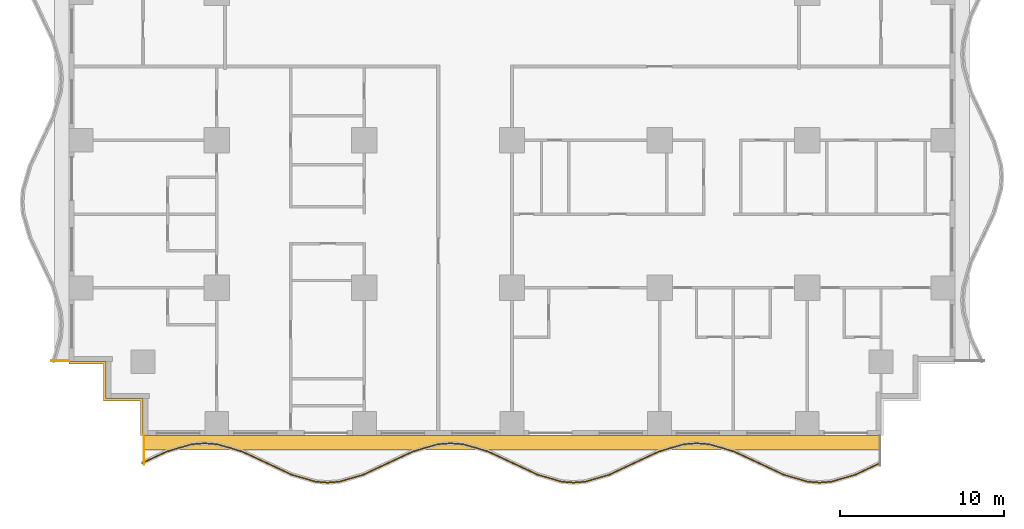
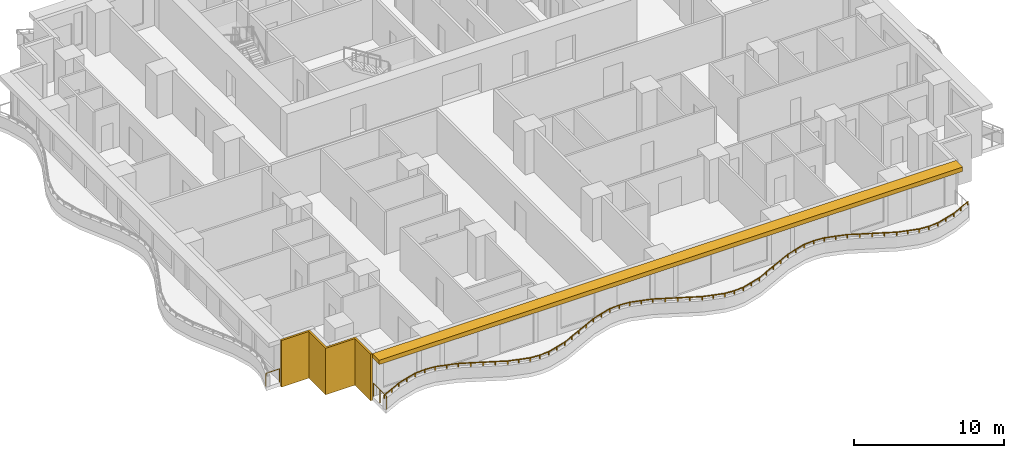
# One storey, part 8 of 14: 3 railings, 2 shading devices.
"""IFC4 building model written with IfcOpenShell, lengths in metres."""

import ifcopenshell
import ifcopenshell.guid

model = None  # the IFC model being written
_history = None  # IfcOwnerHistory: only IFC2X3 demands one
_inside = {}  # id of a spatial element -> (the spatial element, [elements in it])
_under = {}  # id of a project, library or spatial element -> (it, [spatial elements below it])
_declared = {}  # id of a project -> (the project, [libraries it declares])
_typed = {}  # id of a type object -> (the type object, [elements of that type])
_made_of = {}  # id of a material, layer set ... -> (it, [elements and type objects made of it])


def new_model(schema):
    """Start an empty IFC model of exactly this schema.

    Asked for "IFC4X3", IfcOpenShell would pick the latest addendum, in which some entities
    have other attributes; the version numbers below select the first issue.
    IFC2X3 requires an IfcOwnerHistory on every rooted entity: one is made here for all.
    """
    global model, _history
    if schema == "IFC4X3":
        model = ifcopenshell.file(schema_version=(4, 3, 0, 0))
    else:
        model = ifcopenshell.file(schema=schema)
    _inside.clear()
    _under.clear()
    _declared.clear()
    _typed.clear()
    _made_of.clear()
    _history = None
    if model.schema == "IFC2X3":
        org = make("IfcOrganization", Name="unknown")
        user = make(
            "IfcPersonAndOrganization",
            ThePerson=make("IfcPerson", FamilyName="unknown"),
            TheOrganization=org,
        )
        app = make(
            "IfcApplication",
            ApplicationDeveloper=org,
            Version="unknown",
            ApplicationFullName="unknown",
            ApplicationIdentifier="unknown",
        )
        _history = make(
            "IfcOwnerHistory",
            OwningUser=user,
            OwningApplication=app,
            ChangeAction="ADDED",
            CreationDate=0,
        )
    return model


def make(cls, **values):
    """One entity of the class cls with the attributes given. An attribute that is None is left unset."""
    return model.create_entity(
        cls, **{name: value for name, value in values.items() if value is not None}
    )


def rooted(cls, **values):
    """An entity with a GlobalId (a new one), such as an element, a storey or a relation."""
    return make(cls, GlobalId=ifcopenshell.guid.new(), OwnerHistory=_history, **values)


def si_unit(unit_type, name, prefix=None):
    """IfcSIUnit, for example si_unit("LENGTHUNIT", "METRE", prefix="MILLI")."""
    return make("IfcSIUnit", UnitType=unit_type, Prefix=prefix, Name=name)


def assignment(units):
    """IfcUnitAssignment: the units of a project."""
    return None if units is None else make("IfcUnitAssignment", Units=units)


def point(xyz):
    """IfcCartesianPoint."""
    return None if xyz is None else make("IfcCartesianPoint", Coordinates=xyz)


def direction(xyz):
    """IfcDirection."""
    return None if xyz is None else make("IfcDirection", DirectionRatios=xyz)


def frame(location, z_axis=None, x_axis=None):
    """IfcAxis2Placement3D, a coordinate frame: its origin and axes. An axis left out is left unset."""
    return make(
        "IfcAxis2Placement3D",
        Location=point(location),
        Axis=direction(z_axis),
        RefDirection=direction(x_axis),
    )


def frame_2d(location, x_axis=None):
    """IfcAxis2Placement2D, a coordinate frame in the plane: its origin and x axis."""
    return make(
        "IfcAxis2Placement2D", Location=point(location), RefDirection=direction(x_axis)
    )


def origin():
    """The frame at (0, 0, 0) with its axes left unset."""
    return frame((0.0, 0.0, 0.0))


def origin_2d():
    """The frame at (0, 0) in the plane with its x axis left unset."""
    return frame_2d((0.0, 0.0))


def place(relative_to, where):
    """IfcLocalPlacement: puts the frame where relative to a parent placement (None: the world)."""
    return make(
        "IfcLocalPlacement", PlacementRelTo=relative_to, RelativePlacement=where
    )


def context(
    kind, dimensions, precision=None, world=None, true_north=None, identifier=None
):
    """IfcGeometricRepresentationContext, for example the 3D "Model" context."""
    return make(
        "IfcGeometricRepresentationContext",
        ContextIdentifier=identifier,
        ContextType=kind,
        CoordinateSpaceDimension=dimensions,
        Precision=precision,
        WorldCoordinateSystem=world,
        TrueNorth=true_north,
    )


def subcontext(parent, identifier, kind, view, scale=None):
    """IfcGeometricRepresentationSubContext, for example "Body" below "Model"."""
    return make(
        "IfcGeometricRepresentationSubContext",
        ContextIdentifier=identifier,
        ContextType=kind,
        ParentContext=parent,
        TargetScale=scale,
        TargetView=view,
    )


def project(units=None, contexts=None):
    """IfcProject with its units and contexts."""
    return rooted(
        "IfcProject",
        Name="project",
        RepresentationContexts=contexts,
        UnitsInContext=assignment(units),
    )


def spatial(cls, under=None, at=None, **own):
    """A site, building, storey or space (cls), placed at a placement, below another one or the project."""
    s = rooted(cls, ObjectPlacement=at, **own)
    if under is not None:
        _under.setdefault(under.id(), (under, []))[1].append(s)
    return s


def polyline(points):
    """IfcPolyline through the points."""
    return make("IfcPolyline", Points=[point(p) for p in points])


def profile(cls, at=None, kind="AREA", **sizes):
    """A parametric profile (cls). Its sizes go by their IFC names, for example OverallWidth=200.0."""
    return make(cls, ProfileType=kind, Position=at, **sizes)


def rectangle(**sizes):
    """IfcRectangleProfileDef."""
    return profile("IfcRectangleProfileDef", **sizes)


def outline(outer, holes=None, kind="AREA"):
    """IfcArbitraryClosedProfileDef: a profile drawn as a closed curve; with holes, ...WithVoids."""
    if holes is None:
        return make("IfcArbitraryClosedProfileDef", ProfileType=kind, OuterCurve=outer)
    return make(
        "IfcArbitraryProfileDefWithVoids",
        ProfileType=kind,
        OuterCurve=outer,
        InnerCurves=holes,
    )


def extrude(swept, where, along, depth):
    """IfcExtrudedAreaSolid: the profile swept, set in the frame where, extruded along a direction by depth."""
    return make(
        "IfcExtrudedAreaSolid",
        SweptArea=swept,
        Position=where,
        ExtrudedDirection=direction(along),
        Depth=depth,
    )


def shape(context_of_items, identifier, shape_type, items):
    """IfcShapeRepresentation: the items that make up one representation, for example the "Body"."""
    return make(
        "IfcShapeRepresentation",
        ContextOfItems=context_of_items,
        RepresentationIdentifier=identifier,
        RepresentationType=shape_type,
        Items=items,
    )


def material(Name=None, Category=None):
    """IfcMaterial."""
    return make("IfcMaterial", Name=Name, Category=Category)


def layer(
    of_material, thickness, ventilated=None, Name=None, Category=None, Priority=None
):
    """IfcMaterialLayer: one layer of a wall or slab, of a material (None: an air gap)."""
    return make(
        "IfcMaterialLayer",
        Material=of_material,
        LayerThickness=thickness,
        IsVentilated=ventilated,
        Name=Name,
        Category=Category,
        Priority=Priority,
    )


def layer_set(layers, Name=None):
    """IfcMaterialLayerSet."""
    return make("IfcMaterialLayerSet", MaterialLayers=layers, LayerSetName=Name)


def made_of(thing, what):
    """Note that an element or type object is made of a material, layer set ...; save() writes the relation."""
    if what is not None:
        _made_of.setdefault(what.id(), (what, []))[1].append(thing)
    return thing


def type_object(cls, material=None, **own):
    """A type object (cls), such as IfcWallType, which elements share."""
    return made_of(rooted(cls, **own), material)


def element(
    cls,
    number,
    at=None,
    inside=None,
    cuts=None,
    type_object=None,
    material=None,
    context=None,
    identifier="Body",
    shape_type=None,
    held_by="IfcProductDefinitionShape",
    body=None,
    shapes=None,
    **own,
):
    """One element of the class cls, such as IfcWall. Its Tag is "e" and its number.

    at: its placement. inside: the storey or other place that contains it. cuts: it is an
    opening in that element (IfcRelVoidsElement). A single representation is given by context,
    identifier, shape_type and body (its items); several are given by shapes. held_by: the class
    of the entity that holds the representations. save() writes the other relations.
    """
    e = rooted(cls, Tag="e%d" % number, ObjectPlacement=at, **own)
    if body is not None:
        shapes = [shape(context, identifier, shape_type, body)]
    if shapes is not None:
        e.Representation = make(held_by, Representations=shapes)
    if inside is not None:
        _inside.setdefault(inside.id(), (inside, []))[1].append(e)
    if cuts is not None:
        rooted(
            "IfcRelVoidsElement", RelatingBuildingElement=cuts, RelatedOpeningElement=e
        )
    if type_object is not None:
        _typed.setdefault(type_object.id(), (type_object, []))[1].append(e)
    return made_of(e, material)


def aggregate(whole, parts):
    """IfcRelAggregates: a whole, such as a stair, and the parts it consists of."""
    return rooted("IfcRelAggregates", RelatingObject=whole, RelatedObjects=parts)


def save(model, path):
    """Write the relations noted so far, then the file.

    IfcRelAggregates (storeys below a building ...), IfcRelContainedInSpatialStructure (elements
    in a storey), IfcRelDefinesByType, IfcRelAssociatesMaterial and IfcRelDeclares: one each for
    every whole, place, type object, material and project.
    """
    for whole, parts in _under.values():
        aggregate(whole, parts)
    for where, things in _inside.values():
        rooted(
            "IfcRelContainedInSpatialStructure",
            RelatedElements=things,
            RelatingStructure=where,
        )
    for kind, things in _typed.values():
        rooted("IfcRelDefinesByType", RelatedObjects=things, RelatingType=kind)
    for what, things in _made_of.values():
        rooted("IfcRelAssociatesMaterial", RelatedObjects=things, RelatingMaterial=what)
    for by, libraries in _declared.values():
        rooted("IfcRelDeclares", RelatingContext=by, RelatedDefinitions=libraries)
    model.write(path)


model = new_model("IFC4")

# Units and contexts
model_context = context("Model", 3, precision=1e-05, world=origin(), true_north=direction((0.0, 1.0)))
body_context = subcontext(model_context, "Body", "Model", "MODEL_VIEW")
ifc_project = project(units=[si_unit("LENGTHUNIT", "METRE"), si_unit("AREAUNIT", "SQUARE_METRE"), si_unit("VOLUMEUNIT", "CUBIC_METRE"), si_unit("PLANEANGLEUNIT", "RADIAN"), si_unit("MASSUNIT", "GRAM", prefix="KILO")], contexts=[model_context])

# Site, building, storey
site_placement = place(None, origin())
site = spatial("IfcSite", under=ifc_project, at=site_placement, CompositionType="ELEMENT")
building_placement = place(site_placement, origin())
building = spatial("IfcBuilding", under=site, at=building_placement, Name="Orbiselva Terraces", CompositionType="ELEMENT")
storey_placement = place(building_placement, frame((0.0, 0.0, 30.2)))
storey = spatial("IfcBuildingStorey", under=building, at=storey_placement, Name="L07", CompositionType="ELEMENT", Elevation=30.2)

# Railings
ifc_material_1 = material(Name="Bonded two-ply safety glass balustrade, stainless steel posts", Category="steel")
railing_type_1 = type_object("IfcRailingType", Name="ENV-BALUSTRADE-1200", PredefinedType="BALUSTRADE", material=ifc_material_1)
railing_1_placement = place(storey_placement, frame((-22.553191, -24.186882, 0.9)))
element("IfcRailing", 1, at=railing_1_placement, inside=storey, type_object=railing_type_1, Name="Balcony balustrade L07 S", PredefinedType="BALUSTRADE", context=body_context, shape_type="SweptSolid", body=[
    extrude(outline(polyline([(0.028868, 0.0), (0.014434, 0.025), (-0.014434, 0.025), (-0.028868, 0.0), (-0.014434, -0.025), (0.014434, -0.025), (0.028868, 0.0)])), frame((0.0, 0.0, 0.275), z_axis=(0.904944157382, 0.425530342069, 0.0), x_axis=(-0.425530342069, 0.904944157382, 0.0)), (0.0, 0.0, 1.0), 1.667376),
    extrude(outline(polyline([(0.028868, 0.0), (0.014434, 0.025), (-0.014434, 0.025), (-0.028868, 0.0), (-0.014434, -0.025), (0.014434, -0.025), (0.028868, 0.0)])), frame((1.508882, 0.709519, 0.275), z_axis=(0.960270491427, 0.279070928786, 0.0), x_axis=(-0.279070928786, 0.960270491427, 0.0)), (0.0, 0.0, 1.0), 1.584712),
    extrude(outline(polyline([(0.028868, 0.0), (0.014434, 0.025), (-0.014434, 0.025), (-0.028868, 0.0), (-0.014434, -0.025), (0.014434, -0.025), (0.028868, 0.0)])), frame((3.030634, 1.151766, 0.275), z_axis=(0.996947796737, 0.078071061106, 0.0), x_axis=(-0.078071061106, 0.996947796737, 0.0)), (0.0, 0.0, 1.0), 0.774922),
    extrude(outline(polyline([(0.028868, 0.0), (0.014434, 0.025), (-0.014434, 0.025), (-0.028868, 0.0), (-0.014434, -0.025), (0.014434, -0.025), (0.028868, 0.0)])), frame((3.803191, 1.212265, 0.275), z_axis=(0.996947796737, -0.078071061106, 0.0), x_axis=(0.078071061106, 0.996947796737, 0.0)), (0.0, 0.0, 1.0), 0.774922),
    extrude(outline(polyline([(0.028868, 0.0), (0.014434, 0.025), (-0.014434, 0.025), (-0.028868, 0.0), (-0.014434, -0.025), (0.014434, -0.025), (0.028868, 0.0)])), frame((4.575748, 1.151766, 0.275), z_axis=(0.960270491427, -0.279070928786, 0.0), x_axis=(0.279070928786, 0.960270491427, 0.0)), (0.0, 0.0, 1.0), 1.584712),
    extrude(outline(polyline([(0.028868, 0.0), (0.014434, 0.025), (-0.014434, 0.025), (-0.028868, 0.0), (-0.014434, -0.025), (0.014434, -0.025), (0.028868, 0.0)])), frame((6.0975, 0.709519, 0.275), z_axis=(0.904944157382, -0.425530342069, 0.0), x_axis=(0.425530342069, 0.904944157382, 0.0)), (0.0, 0.0, 1.0), 1.667376),
    extrude(outline(polyline([(0.028868, 0.0), (0.014434, 0.025), (-0.014434, 0.025), (-0.028868, 0.0), (-0.014434, -0.025), (0.014434, -0.025), (0.028868, 0.0)])), frame((7.606382, 0.0, 0.275), z_axis=(0.904944359461, -0.425529912322, 0.0), x_axis=(0.425529912322, 0.904944359461, 0.0)), (0.0, 0.0, 1.0), 1.647746),
    extrude(outline(polyline([(0.028868, 0.0), (0.014434, 0.025), (-0.014434, 0.025), (-0.028868, 0.0), (-0.014434, -0.025), (0.014434, -0.025), (0.028868, 0.0)])), frame((9.0975, -0.701165, 0.275), z_axis=(0.960270317007, -0.279071528957, 0.0), x_axis=(0.279071528957, 0.960270317007, 0.0)), (0.0, 0.0, 1.0), 1.539408),
    extrude(outline(polyline([(0.028868, 0.0), (0.014434, 0.025), (-0.014434, 0.025), (-0.028868, 0.0), (-0.014434, -0.025), (0.014434, -0.025), (0.028868, 0.0)])), frame((10.575748, -1.13077, 0.275), z_axis=(0.996947916106, -0.078069536776, 0.0), x_axis=(0.078069536776, 0.996947916106, 0.0)), (0.0, 0.0, 1.0), 0.72967),
    extrude(outline(polyline([(0.028868, 0.0), (0.014434, 0.025), (-0.014434, 0.025), (-0.028868, 0.0), (-0.014434, -0.025), (0.014434, -0.025), (0.028868, 0.0)])), frame((11.303191, -1.187735, 0.275), z_axis=(0.996947916106, 0.078069536776, 0.0), x_axis=(-0.078069536776, 0.996947916106, 0.0)), (0.0, 0.0, 1.0), 0.72967),
    extrude(outline(polyline([(0.028868, 0.0), (0.014434, 0.025), (-0.014434, 0.025), (-0.028868, 0.0), (-0.014434, -0.025), (0.014434, -0.025), (0.028868, 0.0)])), frame((12.030634, -1.13077, 0.275), z_axis=(0.960270317007, 0.279071528957, 0.0), x_axis=(-0.279071528957, 0.960270317007, 0.0)), (0.0, 0.0, 1.0), 1.539408),
    extrude(outline(polyline([(0.028868, 0.0), (0.014434, 0.025), (-0.014434, 0.025), (-0.028868, 0.0), (-0.014434, -0.025), (0.014434, -0.025), (0.028868, 0.0)])), frame((13.508882, -0.701165, 0.275), z_axis=(0.904944359461, 0.425529912322, 0.0), x_axis=(-0.425529912322, 0.904944359461, 0.0)), (0.0, 0.0, 1.0), 1.647746),
    extrude(outline(polyline([(0.028868, 0.0), (0.014434, 0.025), (-0.014434, 0.025), (-0.028868, 0.0), (-0.014434, -0.025), (0.014434, -0.025), (0.028868, 0.0)])), frame((15.0, 0.0, 0.275), z_axis=(0.904944157382, 0.425530342069, 0.0), x_axis=(-0.425530342069, 0.904944157382, 0.0)), (0.0, 0.0, 1.0), 1.667376),
    extrude(outline(polyline([(0.028868, 0.0), (0.014434, 0.025), (-0.014434, 0.025), (-0.028868, 0.0), (-0.014434, -0.025), (0.014434, -0.025), (0.028868, 0.0)])), frame((16.508882, 0.709519, 0.275), z_axis=(0.960270491427, 0.279070928786, 0.0), x_axis=(-0.279070928786, 0.960270491427, 0.0)), (0.0, 0.0, 1.0), 1.584712),
    extrude(outline(polyline([(0.028868, 0.0), (0.014434, 0.025), (-0.014434, 0.025), (-0.028868, 0.0), (-0.014434, -0.025), (0.014434, -0.025), (0.028868, 0.0)])), frame((18.030634, 1.151766, 0.275), z_axis=(0.996947796737, 0.078071061106, 0.0), x_axis=(-0.078071061106, 0.996947796737, 0.0)), (0.0, 0.0, 1.0), 0.774922),
    extrude(outline(polyline([(0.028868, 0.0), (0.014434, 0.025), (-0.014434, 0.025), (-0.028868, 0.0), (-0.014434, -0.025), (0.014434, -0.025), (0.028868, 0.0)])), frame((18.803191, 1.212265, 0.275), z_axis=(0.996947796737, -0.078071061106, 0.0), x_axis=(0.078071061106, 0.996947796737, 0.0)), (0.0, 0.0, 1.0), 0.774922),
    extrude(outline(polyline([(0.028868, 0.0), (0.014434, 0.025), (-0.014434, 0.025), (-0.028868, 0.0), (-0.014434, -0.025), (0.014434, -0.025), (0.028868, 0.0)])), frame((19.575748, 1.151766, 0.275), z_axis=(0.960270491427, -0.279070928786, 0.0), x_axis=(0.279070928786, 0.960270491427, 0.0)), (0.0, 0.0, 1.0), 1.584712),
    extrude(outline(polyline([(0.028868, 0.0), (0.014434, 0.025), (-0.014434, 0.025), (-0.028868, 0.0), (-0.014434, -0.025), (0.014434, -0.025), (0.028868, 0.0)])), frame((21.0975, 0.709519, 0.275), z_axis=(0.904944157382, -0.425530342069, 0.0), x_axis=(0.425530342069, 0.904944157382, 0.0)), (0.0, 0.0, 1.0), 1.667376),
    extrude(outline(polyline([(0.028868, 0.0), (0.014434, 0.025), (-0.014434, 0.025), (-0.028868, 0.0), (-0.014434, -0.025), (0.014434, -0.025), (0.028868, 0.0)])), frame((22.606382, 0.0, 0.275), z_axis=(0.904944359461, -0.425529912322, 0.0), x_axis=(0.425529912322, 0.904944359461, 0.0)), (0.0, 0.0, 1.0), 1.647746),
    extrude(outline(polyline([(0.028868, 0.0), (0.014434, 0.025), (-0.014434, 0.025), (-0.028868, 0.0), (-0.014434, -0.025), (0.014434, -0.025), (0.028868, 0.0)])), frame((24.0975, -0.701165, 0.275), z_axis=(0.960270317007, -0.279071528957, 0.0), x_axis=(0.279071528957, 0.960270317007, 0.0)), (0.0, 0.0, 1.0), 1.539408),
    extrude(outline(polyline([(0.028868, 0.0), (0.014434, 0.025), (-0.014434, 0.025), (-0.028868, 0.0), (-0.014434, -0.025), (0.014434, -0.025), (0.028868, 0.0)])), frame((25.575748, -1.13077, 0.275), z_axis=(0.996947916106, -0.078069536776, 0.0), x_axis=(0.078069536776, 0.996947916106, 0.0)), (0.0, 0.0, 1.0), 0.72967),
    extrude(outline(polyline([(0.028868, 0.0), (0.014434, 0.025), (-0.014434, 0.025), (-0.028868, 0.0), (-0.014434, -0.025), (0.014434, -0.025), (0.028868, 0.0)])), frame((26.303191, -1.187735, 0.275), z_axis=(0.996947916106, 0.078069536776, 0.0), x_axis=(-0.078069536776, 0.996947916106, 0.0)), (0.0, 0.0, 1.0), 0.72967),
    extrude(outline(polyline([(0.028868, 0.0), (0.014434, 0.025), (-0.014434, 0.025), (-0.028868, 0.0), (-0.014434, -0.025), (0.014434, -0.025), (0.028868, 0.0)])), frame((27.030634, -1.13077, 0.275), z_axis=(0.960270317007, 0.279071528957, 0.0), x_axis=(-0.279071528957, 0.960270317007, 0.0)), (0.0, 0.0, 1.0), 1.539408),
    extrude(outline(polyline([(0.028868, 0.0), (0.014434, 0.025), (-0.014434, 0.025), (-0.028868, 0.0), (-0.014434, -0.025), (0.014434, -0.025), (0.028868, 0.0)])), frame((28.508882, -0.701165, 0.275), z_axis=(0.904944359461, 0.425529912322, 0.0), x_axis=(-0.425529912322, 0.904944359461, 0.0)), (0.0, 0.0, 1.0), 1.647746),
    extrude(outline(polyline([(0.028868, 0.0), (0.014434, 0.025), (-0.014434, 0.025), (-0.028868, 0.0), (-0.014434, -0.025), (0.014434, -0.025), (0.028868, 0.0)])), frame((30.0, 0.0, 0.275), z_axis=(0.904944157382, 0.425530342069, 0.0), x_axis=(-0.425530342069, 0.904944157382, 0.0)), (0.0, 0.0, 1.0), 1.667376),
    extrude(outline(polyline([(0.028868, 0.0), (0.014434, 0.025), (-0.014434, 0.025), (-0.028868, 0.0), (-0.014434, -0.025), (0.014434, -0.025), (0.028868, 0.0)])), frame((31.508882, 0.709519, 0.275), z_axis=(0.960270491427, 0.279070928786, 0.0), x_axis=(-0.279070928786, 0.960270491427, 0.0)), (0.0, 0.0, 1.0), 1.584712),
    extrude(outline(polyline([(0.028868, 0.0), (0.014434, 0.025), (-0.014434, 0.025), (-0.028868, 0.0), (-0.014434, -0.025), (0.014434, -0.025), (0.028868, 0.0)])), frame((33.030634, 1.151766, 0.275), z_axis=(0.996947796737, 0.078071061106, 0.0), x_axis=(-0.078071061106, 0.996947796737, 0.0)), (0.0, 0.0, 1.0), 0.774922),
    extrude(outline(polyline([(0.028868, 0.0), (0.014434, 0.025), (-0.014434, 0.025), (-0.028868, 0.0), (-0.014434, -0.025), (0.014434, -0.025), (0.028868, 0.0)])), frame((33.803191, 1.212265, 0.275), z_axis=(0.996947796737, -0.078071061106, 0.0), x_axis=(0.078071061106, 0.996947796737, 0.0)), (0.0, 0.0, 1.0), 0.774922),
    extrude(outline(polyline([(0.028868, 0.0), (0.014434, 0.025), (-0.014434, 0.025), (-0.028868, 0.0), (-0.014434, -0.025), (0.014434, -0.025), (0.028868, 0.0)])), frame((34.575748, 1.151766, 0.275), z_axis=(0.960270491427, -0.279070928786, 0.0), x_axis=(0.279070928786, 0.960270491427, 0.0)), (0.0, 0.0, 1.0), 1.584712),
    extrude(outline(polyline([(0.028868, 0.0), (0.014434, 0.025), (-0.014434, 0.025), (-0.028868, 0.0), (-0.014434, -0.025), (0.014434, -0.025), (0.028868, 0.0)])), frame((36.0975, 0.709519, 0.275), z_axis=(0.904944157382, -0.425530342069, 0.0), x_axis=(0.425530342069, 0.904944157382, 0.0)), (0.0, 0.0, 1.0), 1.667376),
    extrude(outline(polyline([(0.028868, 0.0), (0.014434, 0.025), (-0.014434, 0.025), (-0.028868, 0.0), (-0.014434, -0.025), (0.014434, -0.025), (0.028868, 0.0)])), frame((37.606382, 0.0, 0.275), z_axis=(0.904944359461, -0.425529912322, 0.0), x_axis=(0.425529912322, 0.904944359461, 0.0)), (0.0, 0.0, 1.0), 1.647746),
    extrude(outline(polyline([(0.028868, 0.0), (0.014434, 0.025), (-0.014434, 0.025), (-0.028868, 0.0), (-0.014434, -0.025), (0.014434, -0.025), (0.028868, 0.0)])), frame((39.0975, -0.701165, 0.275), z_axis=(0.960270317007, -0.279071528957, 0.0), x_axis=(0.279071528957, 0.960270317007, 0.0)), (0.0, 0.0, 1.0), 1.539408),
    extrude(outline(polyline([(0.028868, 0.0), (0.014434, 0.025), (-0.014434, 0.025), (-0.028868, 0.0), (-0.014434, -0.025), (0.014434, -0.025), (0.028868, 0.0)])), frame((40.575748, -1.13077, 0.275), z_axis=(0.996947916106, -0.078069536776, 0.0), x_axis=(0.078069536776, 0.996947916106, 0.0)), (0.0, 0.0, 1.0), 0.72967),
    extrude(outline(polyline([(0.028868, 0.0), (0.014434, 0.025), (-0.014434, 0.025), (-0.028868, 0.0), (-0.014434, -0.025), (0.014434, -0.025), (0.028868, 0.0)])), frame((41.303191, -1.187735, 0.275), z_axis=(0.996947916106, 0.078069536776, 0.0), x_axis=(-0.078069536776, 0.996947916106, 0.0)), (0.0, 0.0, 1.0), 0.72967),
    extrude(outline(polyline([(0.028868, 0.0), (0.014434, 0.025), (-0.014434, 0.025), (-0.028868, 0.0), (-0.014434, -0.025), (0.014434, -0.025), (0.028868, 0.0)])), frame((42.030634, -1.13077, 0.275), z_axis=(0.960270317007, 0.279071528957, 0.0), x_axis=(-0.279071528957, 0.960270317007, 0.0)), (0.0, 0.0, 1.0), 1.539408),
    extrude(outline(polyline([(0.028868, 0.0), (0.014434, 0.025), (-0.014434, 0.025), (-0.028868, 0.0), (-0.014434, -0.025), (0.014434, -0.025), (0.028868, 0.0)])), frame((43.508882, -0.701165, 0.275), z_axis=(0.904944359461, 0.425529912322, 0.0), x_axis=(-0.425529912322, 0.904944359461, 0.0)), (0.0, 0.0, 1.0), 1.647746),
    extrude(rectangle(XDim=0.05, YDim=0.05, at=origin_2d()), origin(), (0.0, 0.0, 1.0), 0.25),
    extrude(rectangle(XDim=0.05, YDim=0.05, at=origin_2d()), frame((0.754441, 0.35476, 0.0)), (0.0, 0.0, 1.0), 0.25),
    extrude(rectangle(XDim=0.05, YDim=0.05, at=origin_2d()), frame((1.508882, 0.709519, 0.0)), (0.0, 0.0, 1.0), 0.25),
    extrude(rectangle(XDim=0.05, YDim=0.05, at=origin_2d()), frame((2.269758, 0.930643, 0.0)), (0.0, 0.0, 1.0), 0.25),
    extrude(rectangle(XDim=0.05, YDim=0.05, at=origin_2d()), frame((3.030634, 1.151766, 0.0)), (0.0, 0.0, 1.0), 0.25),
    extrude(rectangle(XDim=0.05, YDim=0.05, at=origin_2d()), frame((3.803191, 1.212265, 0.0)), (0.0, 0.0, 1.0), 0.25),
    extrude(rectangle(XDim=0.05, YDim=0.05, at=origin_2d()), frame((4.575748, 1.151766, 0.0)), (0.0, 0.0, 1.0), 0.25),
    extrude(rectangle(XDim=0.05, YDim=0.05, at=origin_2d()), frame((5.336624, 0.930643, 0.0)), (0.0, 0.0, 1.0), 0.25),
    extrude(rectangle(XDim=0.05, YDim=0.05, at=origin_2d()), frame((6.0975, 0.709519, 0.0)), (0.0, 0.0, 1.0), 0.25),
    extrude(rectangle(XDim=0.05, YDim=0.05, at=origin_2d()), frame((6.851941, 0.35476, 0.0)), (0.0, 0.0, 1.0), 0.25),
    extrude(rectangle(XDim=0.05, YDim=0.05, at=origin_2d()), frame((7.606382, 0.0, 0.0)), (0.0, 0.0, 1.0), 0.25),
    extrude(rectangle(XDim=0.05, YDim=0.05, at=origin_2d()), frame((8.351941, -0.350582, 0.0)), (0.0, 0.0, 1.0), 0.25),
    extrude(rectangle(XDim=0.05, YDim=0.05, at=origin_2d()), frame((9.0975, -0.701165, 0.0)), (0.0, 0.0, 1.0), 0.25),
    extrude(rectangle(XDim=0.05, YDim=0.05, at=origin_2d()), frame((9.836624, -0.915967, 0.0)), (0.0, 0.0, 1.0), 0.25),
    extrude(rectangle(XDim=0.05, YDim=0.05, at=origin_2d()), frame((10.575748, -1.13077, 0.0)), (0.0, 0.0, 1.0), 0.25),
    extrude(rectangle(XDim=0.05, YDim=0.05, at=origin_2d()), frame((11.303191, -1.187735, 0.0)), (0.0, 0.0, 1.0), 0.25),
    extrude(rectangle(XDim=0.05, YDim=0.05, at=origin_2d()), frame((12.030634, -1.13077, 0.0)), (0.0, 0.0, 1.0), 0.25),
    extrude(rectangle(XDim=0.05, YDim=0.05, at=origin_2d()), frame((12.769758, -0.915967, 0.0)), (0.0, 0.0, 1.0), 0.25),
    extrude(rectangle(XDim=0.05, YDim=0.05, at=origin_2d()), frame((13.508882, -0.701165, 0.0)), (0.0, 0.0, 1.0), 0.25),
    extrude(rectangle(XDim=0.05, YDim=0.05, at=origin_2d()), frame((14.254441, -0.350582, 0.0)), (0.0, 0.0, 1.0), 0.25),
    extrude(rectangle(XDim=0.05, YDim=0.05, at=origin_2d()), frame((15.0, 0.0, 0.0)), (0.0, 0.0, 1.0), 0.25),
    extrude(rectangle(XDim=0.05, YDim=0.05, at=origin_2d()), frame((15.754441, 0.35476, 0.0)), (0.0, 0.0, 1.0), 0.25),
    extrude(rectangle(XDim=0.05, YDim=0.05, at=origin_2d()), frame((16.508882, 0.709519, 0.0)), (0.0, 0.0, 1.0), 0.25),
    extrude(rectangle(XDim=0.05, YDim=0.05, at=origin_2d()), frame((17.269758, 0.930643, 0.0)), (0.0, 0.0, 1.0), 0.25),
    extrude(rectangle(XDim=0.05, YDim=0.05, at=origin_2d()), frame((18.030634, 1.151766, 0.0)), (0.0, 0.0, 1.0), 0.25),
    extrude(rectangle(XDim=0.05, YDim=0.05, at=origin_2d()), frame((18.803191, 1.212265, 0.0)), (0.0, 0.0, 1.0), 0.25),
    extrude(rectangle(XDim=0.05, YDim=0.05, at=origin_2d()), frame((19.575748, 1.151766, 0.0)), (0.0, 0.0, 1.0), 0.25),
    extrude(rectangle(XDim=0.05, YDim=0.05, at=origin_2d()), frame((20.336624, 0.930643, 0.0)), (0.0, 0.0, 1.0), 0.25),
    extrude(rectangle(XDim=0.05, YDim=0.05, at=origin_2d()), frame((21.0975, 0.709519, 0.0)), (0.0, 0.0, 1.0), 0.25),
    extrude(rectangle(XDim=0.05, YDim=0.05, at=origin_2d()), frame((21.851941, 0.35476, 0.0)), (0.0, 0.0, 1.0), 0.25),
    extrude(rectangle(XDim=0.05, YDim=0.05, at=origin_2d()), frame((22.606382, 0.0, 0.0)), (0.0, 0.0, 1.0), 0.25),
    extrude(rectangle(XDim=0.05, YDim=0.05, at=origin_2d()), frame((23.351941, -0.350582, 0.0)), (0.0, 0.0, 1.0), 0.25),
    extrude(rectangle(XDim=0.05, YDim=0.05, at=origin_2d()), frame((24.0975, -0.701165, 0.0)), (0.0, 0.0, 1.0), 0.25),
    extrude(rectangle(XDim=0.05, YDim=0.05, at=origin_2d()), frame((24.836624, -0.915967, 0.0)), (0.0, 0.0, 1.0), 0.25),
    extrude(rectangle(XDim=0.05, YDim=0.05, at=origin_2d()), frame((25.575748, -1.13077, 0.0)), (0.0, 0.0, 1.0), 0.25),
    extrude(rectangle(XDim=0.05, YDim=0.05, at=origin_2d()), frame((26.303191, -1.187735, 0.0)), (0.0, 0.0, 1.0), 0.25),
    extrude(rectangle(XDim=0.05, YDim=0.05, at=origin_2d()), frame((27.030634, -1.13077, 0.0)), (0.0, 0.0, 1.0), 0.25),
    extrude(rectangle(XDim=0.05, YDim=0.05, at=origin_2d()), frame((27.769758, -0.915967, 0.0)), (0.0, 0.0, 1.0), 0.25),
    extrude(rectangle(XDim=0.05, YDim=0.05, at=origin_2d()), frame((28.508882, -0.701165, 0.0)), (0.0, 0.0, 1.0), 0.25),
    extrude(rectangle(XDim=0.05, YDim=0.05, at=origin_2d()), frame((29.254441, -0.350582, 0.0)), (0.0, 0.0, 1.0), 0.25),
    extrude(rectangle(XDim=0.05, YDim=0.05, at=origin_2d()), frame((30.0, 0.0, 0.0)), (0.0, 0.0, 1.0), 0.25),
    extrude(rectangle(XDim=0.05, YDim=0.05, at=origin_2d()), frame((30.754441, 0.35476, 0.0)), (0.0, 0.0, 1.0), 0.25),
    extrude(rectangle(XDim=0.05, YDim=0.05, at=origin_2d()), frame((31.508882, 0.709519, 0.0)), (0.0, 0.0, 1.0), 0.25),
    extrude(rectangle(XDim=0.05, YDim=0.05, at=origin_2d()), frame((32.269758, 0.930643, 0.0)), (0.0, 0.0, 1.0), 0.25),
    extrude(rectangle(XDim=0.05, YDim=0.05, at=origin_2d()), frame((33.030634, 1.151766, 0.0)), (0.0, 0.0, 1.0), 0.25),
    extrude(rectangle(XDim=0.05, YDim=0.05, at=origin_2d()), frame((33.803191, 1.212265, 0.0)), (0.0, 0.0, 1.0), 0.25),
    extrude(rectangle(XDim=0.05, YDim=0.05, at=origin_2d()), frame((34.575748, 1.151766, 0.0)), (0.0, 0.0, 1.0), 0.25),
    extrude(rectangle(XDim=0.05, YDim=0.05, at=origin_2d()), frame((35.336624, 0.930643, 0.0)), (0.0, 0.0, 1.0), 0.25),
    extrude(rectangle(XDim=0.05, YDim=0.05, at=origin_2d()), frame((36.0975, 0.709519, 0.0)), (0.0, 0.0, 1.0), 0.25),
    extrude(rectangle(XDim=0.05, YDim=0.05, at=origin_2d()), frame((36.851941, 0.35476, 0.0)), (0.0, 0.0, 1.0), 0.25),
    extrude(rectangle(XDim=0.05, YDim=0.05, at=origin_2d()), frame((37.606382, 0.0, 0.0)), (0.0, 0.0, 1.0), 0.25),
    extrude(rectangle(XDim=0.05, YDim=0.05, at=origin_2d()), frame((38.351941, -0.350582, 0.0)), (0.0, 0.0, 1.0), 0.25),
    extrude(rectangle(XDim=0.05, YDim=0.05, at=origin_2d()), frame((39.0975, -0.701165, 0.0)), (0.0, 0.0, 1.0), 0.25),
    extrude(rectangle(XDim=0.05, YDim=0.05, at=origin_2d()), frame((39.836624, -0.915967, 0.0)), (0.0, 0.0, 1.0), 0.25),
    extrude(rectangle(XDim=0.05, YDim=0.05, at=origin_2d()), frame((40.575748, -1.13077, 0.0)), (0.0, 0.0, 1.0), 0.25),
    extrude(rectangle(XDim=0.05, YDim=0.05, at=origin_2d()), frame((41.303191, -1.187735, 0.0)), (0.0, 0.0, 1.0), 0.25),
    extrude(rectangle(XDim=0.05, YDim=0.05, at=origin_2d()), frame((42.030634, -1.13077, 0.0)), (0.0, 0.0, 1.0), 0.25),
    extrude(rectangle(XDim=0.05, YDim=0.05, at=origin_2d()), frame((42.769758, -0.915967, 0.0)), (0.0, 0.0, 1.0), 0.25),
    extrude(rectangle(XDim=0.05, YDim=0.05, at=origin_2d()), frame((43.508882, -0.701165, 0.0)), (0.0, 0.0, 1.0), 0.25),
    extrude(rectangle(XDim=0.05, YDim=0.05, at=origin_2d()), frame((44.254441, -0.350582, 0.0)), (0.0, 0.0, 1.0), 0.25),
    extrude(rectangle(XDim=0.05, YDim=0.05, at=origin_2d()), frame((45.0, 0.0, 0.0)), (0.0, 0.0, 1.0), 0.25),
])
ifc_material_2 = material(Name="Stainless steel rail and posts", Category="steel")
railing_type_2 = type_object("IfcRailingType", Name="ENV-GUARD-1105", PredefinedType="BALUSTRADE", material=ifc_material_2)
railing_2_placement = place(storey_placement, frame((-22.44, -24.269844, 0.0)))
element("IfcRailing", 2, at=railing_2_placement, inside=storey, type_object=railing_type_2, Name="Balcony end guard L07 S", PredefinedType="BALUSTRADE", context=body_context, shape_type="SweptSolid", body=[
    extrude(outline(polyline([(0.028868, 0.0), (0.014434, 0.025), (-0.014434, 0.025), (-0.028868, 0.0), (-0.014434, -0.025), (0.014434, -0.025), (0.028868, 0.0)])), frame((0.0, 0.0, 1.08), z_axis=(0.0, 1.0, 0.0), x_axis=(-1.0, 0.0, 0.0)), (0.0, 0.0, 1.0), 1.744844),
    extrude(rectangle(XDim=0.05, YDim=0.05, at=origin_2d()), origin(), (0.0, 0.0, 1.0), 1.055),
    extrude(rectangle(XDim=0.05, YDim=0.05, at=origin_2d()), frame((0.0, 0.872422, 0.0)), (0.0, 0.0, 1.0), 1.055),
    extrude(rectangle(XDim=0.05, YDim=0.05, at=origin_2d()), frame((0.0, 1.744844, 0.0)), (0.0, 0.0, 1.0), 1.055),
])
railing_3_placement = place(storey_placement, frame((-28.070484, -17.94, 0.0)))
element("IfcRailing", 3, at=railing_3_placement, inside=storey, type_object=railing_type_2, Name="Balcony end guard L07 W", PredefinedType="BALUSTRADE", context=body_context, shape_type="SweptSolid", body=[
    extrude(outline(polyline([(0.028868, 0.0), (0.014434, 0.025), (-0.014434, 0.025), (-0.028868, 0.0), (-0.014434, -0.025), (0.014434, -0.025), (0.028868, 0.0)])), frame((0.0, 0.0, 1.08), z_axis=(1.0, 0.0, 0.0), x_axis=(0.0, 1.0, 0.0)), (0.0, 0.0, 1.0), 1.045484),
    extrude(rectangle(XDim=0.05, YDim=0.05, at=origin_2d()), origin(), (0.0, 0.0, 1.0), 1.055),
    extrude(rectangle(XDim=0.05, YDim=0.05, at=origin_2d()), frame((1.045484, 0.0, 0.0)), (0.0, 0.0, 1.0), 1.055),
])

# Shading devices
ifc_material_3 = material(Name="Terracotta louvre screen", Category="masonry")
ifc_layer_1 = layer(ifc_material_3, 0.15)
ifc_layer_set_1 = layer_set([ifc_layer_1], Name="Terracotta louvre screen")
shading_device_type_1 = type_object("IfcShadingDeviceType", Name="ENV-SCREEN-150", PredefinedType="USERDEFINED", material=ifc_layer_set_1)
shading_device_1_placement = place(storey_placement, frame((0.0, 0.0, -0.3)))
element("IfcShadingDevice", 4, at=shading_device_1_placement, inside=storey, type_object=shading_device_type_1, Name="Louvre screen L07 SW", ObjectType="SCREEN", PredefinedType="USERDEFINED", context=body_context, shape_type="SweptSolid", body=[
    extrude(outline(polyline([(-27.0, -18.15), (-24.9, -18.15), (-24.9, -20.4), (-22.65, -20.4), (-22.65, -22.5), (-22.5, -22.5), (-22.5, -20.25), (-24.75, -20.25), (-24.75, -18.0), (-27.0, -18.0), (-27.0, -18.15)])), origin(), (0.0, 0.0, 1.0), 3.8),
])
ifc_material_4 = material(Name="Terracotta baguette sunshade", Category="masonry")
ifc_layer_2 = layer(ifc_material_4, 0.35)
ifc_layer_set_2 = layer_set([ifc_layer_2], Name="Terracotta baguette sunshade")
shading_device_type_2 = type_object("IfcShadingDeviceType", Name="ENV-SUNSHADE-900x350", PredefinedType="USERDEFINED", material=ifc_layer_set_2)
shading_device_2_placement = place(storey_placement, frame((0.0, 0.0, 3.15)))
element("IfcShadingDevice", 5, at=shading_device_2_placement, inside=storey, type_object=shading_device_type_2, Name="Sunshade band L07 S", ObjectType="SUNSHADE", PredefinedType="USERDEFINED", context=body_context, shape_type="SweptSolid", body=[
    extrude(outline(polyline([(-22.5, -23.4), (22.5, -23.4), (22.5, -22.5), (-22.5, -22.5), (-22.5, -23.4)])), origin(), (0.0, 0.0, 1.0), 0.35),
])

save(model, "model.ifc")
